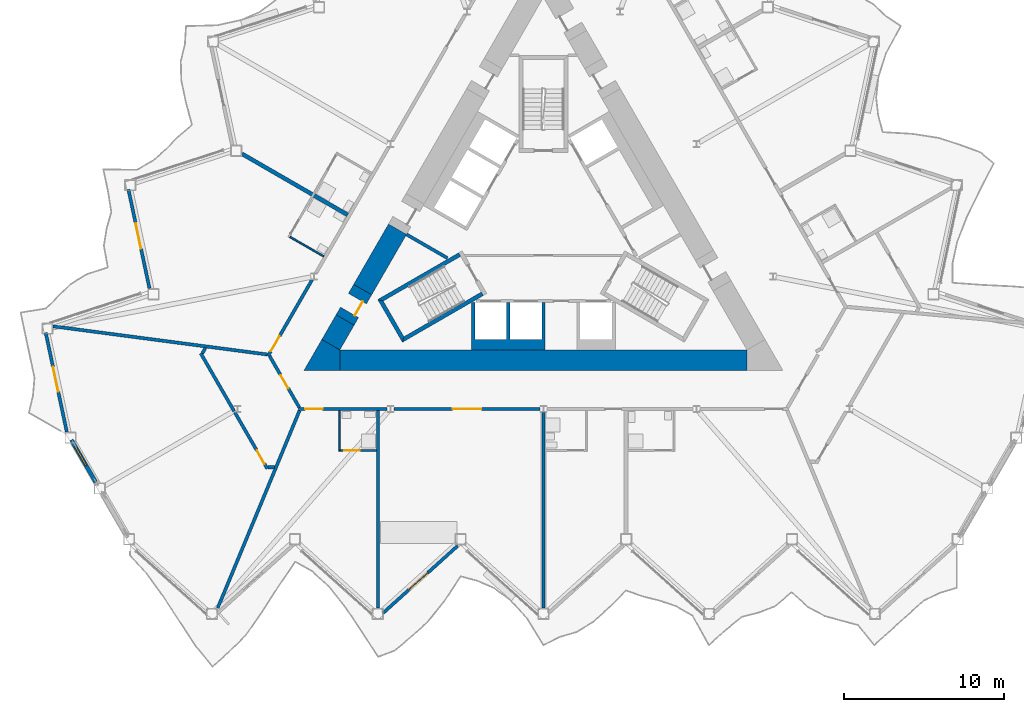
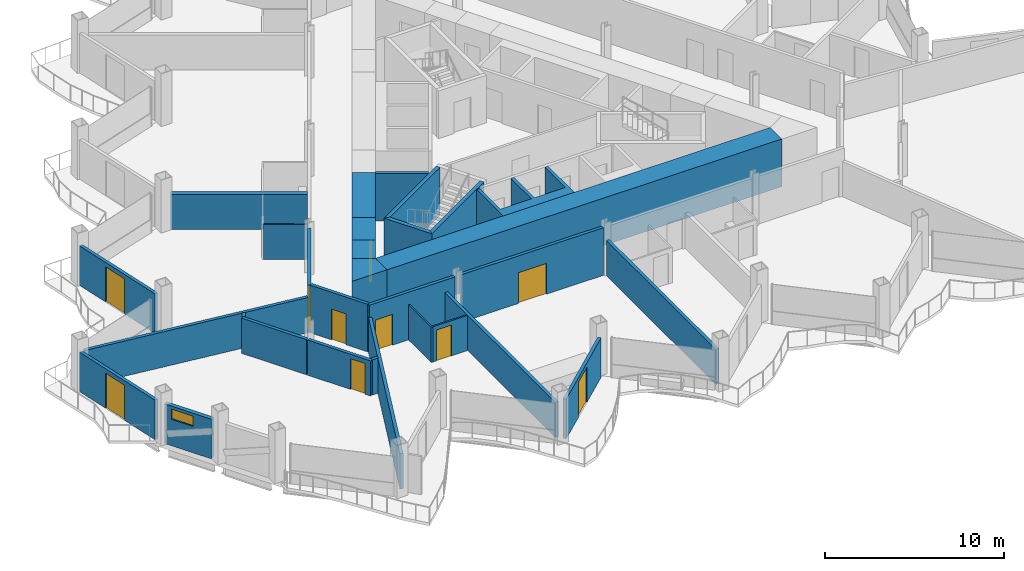
# One storey, part 11 of 23: 30 walls, 10 doors, 1 window, 11 openings.
"""IFC4 building model written with IfcOpenShell, lengths in metres."""

import ifcopenshell
import ifcopenshell.guid

model = None  # the IFC model being written
_history = None  # IfcOwnerHistory: only IFC2X3 demands one
_inside = {}  # id of a spatial element -> (the spatial element, [elements in it])
_under = {}  # id of a project, library or spatial element -> (it, [spatial elements below it])
_declared = {}  # id of a project -> (the project, [libraries it declares])
_typed = {}  # id of a type object -> (the type object, [elements of that type])
_made_of = {}  # id of a material, layer set ... -> (it, [elements and type objects made of it])


def new_model(schema):
    """Start an empty IFC model of exactly this schema.

    Asked for "IFC4X3", IfcOpenShell would pick the latest addendum, in which some entities
    have other attributes; the version numbers below select the first issue.
    IFC2X3 requires an IfcOwnerHistory on every rooted entity: one is made here for all.
    """
    global model, _history
    if schema == "IFC4X3":
        model = ifcopenshell.file(schema_version=(4, 3, 0, 0))
    else:
        model = ifcopenshell.file(schema=schema)
    _inside.clear()
    _under.clear()
    _declared.clear()
    _typed.clear()
    _made_of.clear()
    _history = None
    if model.schema == "IFC2X3":
        org = make("IfcOrganization", Name="unknown")
        user = make(
            "IfcPersonAndOrganization",
            ThePerson=make("IfcPerson", FamilyName="unknown"),
            TheOrganization=org,
        )
        app = make(
            "IfcApplication",
            ApplicationDeveloper=org,
            Version="unknown",
            ApplicationFullName="unknown",
            ApplicationIdentifier="unknown",
        )
        _history = make(
            "IfcOwnerHistory",
            OwningUser=user,
            OwningApplication=app,
            ChangeAction="ADDED",
            CreationDate=0,
        )
    return model


def make(cls, **values):
    """One entity of the class cls with the attributes given. An attribute that is None is left unset."""
    return model.create_entity(
        cls, **{name: value for name, value in values.items() if value is not None}
    )


def rooted(cls, **values):
    """An entity with a GlobalId (a new one), such as an element, a storey or a relation."""
    return make(cls, GlobalId=ifcopenshell.guid.new(), OwnerHistory=_history, **values)


def si_unit(unit_type, name, prefix=None):
    """IfcSIUnit, for example si_unit("LENGTHUNIT", "METRE", prefix="MILLI")."""
    return make("IfcSIUnit", UnitType=unit_type, Prefix=prefix, Name=name)


def assignment(units):
    """IfcUnitAssignment: the units of a project."""
    return None if units is None else make("IfcUnitAssignment", Units=units)


def point(xyz):
    """IfcCartesianPoint."""
    return None if xyz is None else make("IfcCartesianPoint", Coordinates=xyz)


def direction(xyz):
    """IfcDirection."""
    return None if xyz is None else make("IfcDirection", DirectionRatios=xyz)


def frame(location, z_axis=None, x_axis=None):
    """IfcAxis2Placement3D, a coordinate frame: its origin and axes. An axis left out is left unset."""
    return make(
        "IfcAxis2Placement3D",
        Location=point(location),
        Axis=direction(z_axis),
        RefDirection=direction(x_axis),
    )


def frame_2d(location, x_axis=None):
    """IfcAxis2Placement2D, a coordinate frame in the plane: its origin and x axis."""
    return make(
        "IfcAxis2Placement2D", Location=point(location), RefDirection=direction(x_axis)
    )


def origin():
    """The frame at (0, 0, 0) with its axes left unset."""
    return frame((0.0, 0.0, 0.0))


def place(relative_to, where):
    """IfcLocalPlacement: puts the frame where relative to a parent placement (None: the world)."""
    return make(
        "IfcLocalPlacement", PlacementRelTo=relative_to, RelativePlacement=where
    )


def context(
    kind, dimensions, precision=None, world=None, true_north=None, identifier=None
):
    """IfcGeometricRepresentationContext, for example the 3D "Model" context."""
    return make(
        "IfcGeometricRepresentationContext",
        ContextIdentifier=identifier,
        ContextType=kind,
        CoordinateSpaceDimension=dimensions,
        Precision=precision,
        WorldCoordinateSystem=world,
        TrueNorth=true_north,
    )


def subcontext(parent, identifier, kind, view, scale=None):
    """IfcGeometricRepresentationSubContext, for example "Body" below "Model"."""
    return make(
        "IfcGeometricRepresentationSubContext",
        ContextIdentifier=identifier,
        ContextType=kind,
        ParentContext=parent,
        TargetScale=scale,
        TargetView=view,
    )


def project(units=None, contexts=None):
    """IfcProject with its units and contexts."""
    return rooted(
        "IfcProject",
        Name="project",
        RepresentationContexts=contexts,
        UnitsInContext=assignment(units),
    )


def spatial(cls, under=None, at=None, **own):
    """A site, building, storey or space (cls), placed at a placement, below another one or the project."""
    s = rooted(cls, ObjectPlacement=at, **own)
    if under is not None:
        _under.setdefault(under.id(), (under, []))[1].append(s)
    return s


def polyline(points):
    """IfcPolyline through the points."""
    return make("IfcPolyline", Points=[point(p) for p in points])


def profile(cls, at=None, kind="AREA", **sizes):
    """A parametric profile (cls). Its sizes go by their IFC names, for example OverallWidth=200.0."""
    return make(cls, ProfileType=kind, Position=at, **sizes)


def rectangle(**sizes):
    """IfcRectangleProfileDef."""
    return profile("IfcRectangleProfileDef", **sizes)


def outline(outer, holes=None, kind="AREA"):
    """IfcArbitraryClosedProfileDef: a profile drawn as a closed curve; with holes, ...WithVoids."""
    if holes is None:
        return make("IfcArbitraryClosedProfileDef", ProfileType=kind, OuterCurve=outer)
    return make(
        "IfcArbitraryProfileDefWithVoids",
        ProfileType=kind,
        OuterCurve=outer,
        InnerCurves=holes,
    )


def extrude(swept, where, along, depth):
    """IfcExtrudedAreaSolid: the profile swept, set in the frame where, extruded along a direction by depth."""
    return make(
        "IfcExtrudedAreaSolid",
        SweptArea=swept,
        Position=where,
        ExtrudedDirection=direction(along),
        Depth=depth,
    )


def shape(context_of_items, identifier, shape_type, items):
    """IfcShapeRepresentation: the items that make up one representation, for example the "Body"."""
    return make(
        "IfcShapeRepresentation",
        ContextOfItems=context_of_items,
        RepresentationIdentifier=identifier,
        RepresentationType=shape_type,
        Items=items,
    )


def material(Name=None, Category=None):
    """IfcMaterial."""
    return make("IfcMaterial", Name=Name, Category=Category)


def layer(
    of_material, thickness, ventilated=None, Name=None, Category=None, Priority=None
):
    """IfcMaterialLayer: one layer of a wall or slab, of a material (None: an air gap)."""
    return make(
        "IfcMaterialLayer",
        Material=of_material,
        LayerThickness=thickness,
        IsVentilated=ventilated,
        Name=Name,
        Category=Category,
        Priority=Priority,
    )


def layer_set(layers, Name=None):
    """IfcMaterialLayerSet."""
    return make("IfcMaterialLayerSet", MaterialLayers=layers, LayerSetName=Name)


def made_of(thing, what):
    """Note that an element or type object is made of a material, layer set ...; save() writes the relation."""
    if what is not None:
        _made_of.setdefault(what.id(), (what, []))[1].append(thing)
    return thing


def type_object(cls, material=None, **own):
    """A type object (cls), such as IfcWallType, which elements share."""
    return made_of(rooted(cls, **own), material)


def element(
    cls,
    number,
    at=None,
    inside=None,
    cuts=None,
    type_object=None,
    material=None,
    context=None,
    identifier="Body",
    shape_type=None,
    held_by="IfcProductDefinitionShape",
    body=None,
    shapes=None,
    **own,
):
    """One element of the class cls, such as IfcWall. Its Tag is "e" and its number.

    at: its placement. inside: the storey or other place that contains it. cuts: it is an
    opening in that element (IfcRelVoidsElement). A single representation is given by context,
    identifier, shape_type and body (its items); several are given by shapes. held_by: the class
    of the entity that holds the representations. save() writes the other relations.
    """
    e = rooted(cls, Tag="e%d" % number, ObjectPlacement=at, **own)
    if body is not None:
        shapes = [shape(context, identifier, shape_type, body)]
    if shapes is not None:
        e.Representation = make(held_by, Representations=shapes)
    if inside is not None:
        _inside.setdefault(inside.id(), (inside, []))[1].append(e)
    if cuts is not None:
        rooted(
            "IfcRelVoidsElement", RelatingBuildingElement=cuts, RelatedOpeningElement=e
        )
    if type_object is not None:
        _typed.setdefault(type_object.id(), (type_object, []))[1].append(e)
    return made_of(e, material)


def fill(opening, filler):
    """IfcRelFillsElement: the door or window that sits in an opening."""
    return rooted(
        "IfcRelFillsElement",
        RelatingOpeningElement=opening,
        RelatedBuildingElement=filler,
    )


def aggregate(whole, parts):
    """IfcRelAggregates: a whole, such as a stair, and the parts it consists of."""
    return rooted("IfcRelAggregates", RelatingObject=whole, RelatedObjects=parts)


def save(model, path):
    """Write the relations noted so far, then the file.

    IfcRelAggregates (storeys below a building ...), IfcRelContainedInSpatialStructure (elements
    in a storey), IfcRelDefinesByType, IfcRelAssociatesMaterial and IfcRelDeclares: one each for
    every whole, place, type object, material and project.
    """
    for whole, parts in _under.values():
        aggregate(whole, parts)
    for where, things in _inside.values():
        rooted(
            "IfcRelContainedInSpatialStructure",
            RelatedElements=things,
            RelatingStructure=where,
        )
    for kind, things in _typed.values():
        rooted("IfcRelDefinesByType", RelatedObjects=things, RelatingType=kind)
    for what, things in _made_of.values():
        rooted("IfcRelAssociatesMaterial", RelatedObjects=things, RelatingMaterial=what)
    for by, libraries in _declared.values():
        rooted("IfcRelDeclares", RelatingContext=by, RelatedDefinitions=libraries)
    model.write(path)


model = new_model("IFC4")

# Units and contexts
model_context = context("Model", 3, precision=1e-05, world=origin(), true_north=direction((0.0, 1.0)))
body_context = subcontext(model_context, "Body", "Model", "MODEL_VIEW")
ifc_project = project(units=[si_unit("LENGTHUNIT", "METRE"), si_unit("AREAUNIT", "SQUARE_METRE"), si_unit("VOLUMEUNIT", "CUBIC_METRE"), si_unit("PLANEANGLEUNIT", "RADIAN"), si_unit("MASSUNIT", "GRAM", prefix="KILO")], contexts=[model_context])

# Site, building, storey
site_placement = place(None, origin())
site = spatial("IfcSite", under=ifc_project, at=site_placement, CompositionType="ELEMENT")
building_placement = place(site_placement, origin())
building = spatial("IfcBuilding", under=site, at=building_placement, Name="Cormorant Prow Tower", CompositionType="ELEMENT")
storey_placement = place(building_placement, frame((0.0, 0.0, 252.60009765625)))
storey = spatial("IfcBuildingStorey", under=building, at=storey_placement, Name="L56", CompositionType="ELEMENT", Elevation=252.60009765625)

# Walls
ifc_material_1 = material(Name="Concrete 8000 psi", Category="concrete")
ifc_layer_1 = layer(ifc_material_1, 1.300048828125)
ifc_layer_set_1 = layer_set([ifc_layer_1], Name="Concrete 8000 psi")
wall_type_1 = type_object("IfcWallType", Name="Core shear wall 1300", PredefinedType="SHEAR", material=ifc_layer_set_1)
wall_1_placement = place(storey_placement, frame((-12.748291015625, -8.01025390625, 0.0), z_axis=(0.0, 0.0, 1.0), x_axis=(1.0, 0.0, 0.0)))
element("IfcWall", 1, at=wall_1_placement, inside=storey, type_object=wall_type_1, Name="Core wall", PredefinedType="SHEAR", context=body_context, shape_type="SweptSolid", body=[
    extrude(rectangle(XDim=25.49658203125, YDim=1.300048828125, at=frame_2d((12.748291015625, 0.0))), origin(), (0.0, 0.0, 1.0), 3.25),
])
wall_2_placement = place(storey_placement, frame((-9.13720703125, 0.194580078125, 0.0), z_axis=(0.0, 0.0, 1.0), x_axis=(-0.499985697398, -0.866033661238, 0.0)))
element("IfcWall", 2, at=wall_2_placement, inside=storey, type_object=wall_type_1, Name="Core wall", PredefinedType="SHEAR", context=body_context, shape_type="SweptSolid", body=[
    extrude(rectangle(XDim=4.362060546875, YDim=1.300048828125, at=frame_2d((2.18115234375, 0.0))), origin(), (0.0, 0.0, 1.0), 3.25),
])
wall_3_placement = place(storey_placement, frame((-12.418212890625, -5.48828125, 0.0), z_axis=(0.0, 0.0, 1.0), x_axis=(-0.499931460552, -0.866064971437, 0.0)))
element("IfcWall", 3, at=wall_3_placement, inside=storey, type_object=wall_type_1, Name="Core wall", PredefinedType="SHEAR", context=body_context, shape_type="SweptSolid", body=[
    extrude(rectangle(XDim=1.786376953125, YDim=1.300048828125, at=frame_2d((0.89306640625, 0.0))), origin(), (0.0, 0.0, 1.0), 3.25),
])
wall_4_placement = place(storey_placement, origin())
element("IfcWall", 4, at=wall_4_placement, inside=storey, type_object=wall_type_1, Name="Core wall corner", PredefinedType="SHEAR", context=body_context, shape_type="SweptSolid", body=[
    extrude(outline(polyline([(-13.874267578125, -6.710205078125), (-12.748291015625, -7.3603515625), (-12.748291015625, -8.660400390625), (-15.0, -8.660400390625), (-13.874267578125, -6.710205078125)])), origin(), (0.0, 0.0, 1.0), 3.25),
])

# Wall, opening, door
wall_5_placement = place(storey_placement, frame((-11.318115234375, -3.5830078125, 0.0), z_axis=(0.0, 0.0, 1.0), x_axis=(-0.50002983664, -0.866008176907, 0.0)))
wall_5 = element("IfcWall", 5, at=wall_5_placement, inside=storey, type_object=wall_type_1, Name="Core wall door panel", PredefinedType="SHEAR", context=body_context, shape_type="SweptSolid", body=[
    extrude(rectangle(XDim=2.199951171875, YDim=1.300048828125, at=frame_2d((1.10009765625, 0.0))), origin(), (0.0, 0.0, 1.0), 3.25),
])
opening_1_placement = place(wall_5_placement, frame((0.64990234375, 0.0, 0.0)))
opening_1 = element("IfcOpeningElement", 6, at=opening_1_placement, cuts=wall_5, Name="Opening L56-C14", PredefinedType="OPENING", context=body_context, shape_type="SweptSolid", body=[
    extrude(rectangle(XDim=1.0, YDim=2.10009765625, at=frame_2d((0.5, 1.050048828125))), frame((0.0, 0.659912109375, 0.0), z_axis=(0.0, -1.0, 0.0), x_axis=(1.0, 0.0, 0.0)), (0.0, 0.0, 1.0), 1.320068359375),
])
ifc_material_2 = material(Name="Painted steel", Category="steel")
door_type_1 = type_object("IfcDoorType", Name="Service door 1000x2100", OperationType="NOTDEFINED", PredefinedType="DOOR", material=ifc_material_2)
door_1_placement = place(opening_1_placement, origin())
door_1 = element("IfcDoor", 7, at=door_1_placement, inside=storey, type_object=door_type_1, Name="Core door, Electrical room", OperationType="SINGLE_SWING_LEFT", OverallHeight=2.10009765625, OverallWidth=1.0, PredefinedType="DOOR", context=body_context, shape_type="SweptSolid", body=[
    extrude(rectangle(XDim=1.0, YDim=2.10009765625, at=frame_2d((0.5, 1.050048828125))), frame((0.0, 0.40478515625, 0.0), z_axis=(0.0, -1.0, 0.0), x_axis=(1.0, 0.0, 0.0)), (0.0, 0.0, 1.0), 0.050048828125),
])
fill(opening_1, door_1)

ifc_material_3 = material(Name="Gypsum board corridor wall")
ifc_layer_2 = layer(ifc_material_3, 0.199951171875)
ifc_layer_set_2 = layer_set([ifc_layer_2], Name="Gypsum board corridor wall")
wall_type_2 = type_object("IfcWallType", Name="Corridor wall 200", PredefinedType="PARTITIONING", material=ifc_layer_set_2)
wall_6_placement = place(storey_placement, frame((-9.368896484375, -11.060302734375, 0.0), z_axis=(0.0, 0.0, 1.0), x_axis=(1.0, 0.0, 0.0)))
wall_6 = element("IfcWall", 8, at=wall_6_placement, inside=storey, type_object=wall_type_2, Name="Corridor wall", PredefinedType="PARTITIONING", context=body_context, shape_type="SweptSolid", body=[
    extrude(rectangle(XDim=9.159423828125, YDim=0.199951171875, at=frame_2d((4.57958984375, 0.0))), origin(), (0.0, 0.0, 1.0), 3.25),
])
opening_2_placement = place(wall_6_placement, frame((3.6796875, 0.0, 0.0)))
opening_2 = element("IfcOpeningElement", 9, at=opening_2_placement, cuts=wall_6, Name="Opening L56-F03", PredefinedType="OPENING", context=body_context, shape_type="SweptSolid", body=[
    extrude(rectangle(XDim=1.800048828125, YDim=2.10009765625, at=frame_2d((0.89990234375, 1.050048828125))), frame((0.0, 0.10986328125, 0.0), z_axis=(0.0, -1.0, 0.0), x_axis=(1.0, 0.0, 0.0)), (0.0, 0.0, 1.0), 0.219970703125),
])
ifc_material_4 = material(Name="Timber door leaf", Category="wood")
door_type_2 = type_object("IfcDoorType", Name="Double door 1800x2100", OperationType="DOUBLE_DOOR_SINGLE_SWING", PredefinedType="DOOR", material=ifc_material_4)
door_2_placement = place(opening_2_placement, origin())
door_2 = element("IfcDoor", 10, at=door_2_placement, inside=storey, type_object=door_type_2, Name="Library door", OperationType="DOUBLE_DOOR_SINGLE_SWING", OverallHeight=2.10009765625, OverallWidth=1.800048828125, PredefinedType="DOOR", context=body_context, shape_type="SweptSolid", body=[
    extrude(rectangle(XDim=1.800048828125, YDim=2.10009765625, at=frame_2d((0.89990234375, 1.050048828125))), frame((0.0, 0.02490234375, 0.0), z_axis=(0.0, -1.0, 0.0), x_axis=(1.0, 0.0, 0.0)), (0.0, 0.0, 1.0), 0.050048828125),
])
fill(opening_2, door_2)

wall_7_placement = place(storey_placement, frame((-15.330810546875, -11.060302734375, 0.0), z_axis=(0.0, 0.0, 1.0), x_axis=(1.0, 0.0, 0.0)))
wall_7 = element("IfcWall", 11, at=wall_7_placement, inside=storey, type_object=wall_type_2, Name="Corridor wall", PredefinedType="PARTITIONING", context=body_context, shape_type="SweptSolid", body=[
    extrude(rectangle(XDim=5.542724609375, YDim=0.199951171875, at=frame_2d((2.771484375, 0.0))), origin(), (0.0, 0.0, 1.0), 3.25),
])
opening_3_placement = place(wall_7_placement, frame((0.403076171875, 0.0, 0.0)))
opening_3 = element("IfcOpeningElement", 12, at=opening_3_placement, cuts=wall_7, Name="Opening L56-F01", PredefinedType="OPENING", context=body_context, shape_type="SweptSolid", body=[
    extrude(rectangle(XDim=1.10009765625, YDim=2.10009765625, at=frame_2d((0.550048828125, 1.050048828125))), frame((0.0, 0.10986328125, 0.0), z_axis=(0.0, -1.0, 0.0), x_axis=(1.0, 0.0, 0.0)), (0.0, 0.0, 1.0), 0.219970703125),
])
ifc_material_5 = material(Name="Timber door leaf", Category="wood")
door_type_3 = type_object("IfcDoorType", Name="Suite entrance door 1100x2100", OperationType="NOTDEFINED", PredefinedType="DOOR", material=ifc_material_5)
door_3_placement = place(opening_3_placement, origin())
door_3 = element("IfcDoor", 13, at=door_3_placement, inside=storey, type_object=door_type_3, Name="Junior suite door", OperationType="SINGLE_SWING_LEFT", OverallHeight=2.10009765625, OverallWidth=1.10009765625, PredefinedType="DOOR", context=body_context, shape_type="SweptSolid", body=[
    extrude(rectangle(XDim=1.10009765625, YDim=2.10009765625, at=frame_2d((0.550048828125, 1.050048828125))), frame((0.0, 0.02490234375, 0.0), z_axis=(0.0, -1.0, 0.0), x_axis=(1.0, 0.0, 0.0)), (0.0, 0.0, 1.0), 0.050048828125),
])
fill(opening_3, door_3)

wall_8_placement = place(storey_placement, frame((-17.243896484375, -7.746826171875, 0.0), z_axis=(0.0, 0.0, 1.0), x_axis=(0.500017753321, 0.866015153657, 0.0)))
wall_8 = element("IfcWall", 14, at=wall_8_placement, inside=storey, type_object=wall_type_2, Name="Corridor wall", PredefinedType="PARTITIONING", context=body_context, shape_type="SweptSolid", body=[
    extrude(rectangle(XDim=5.510498046875, YDim=0.199951171875, at=frame_2d((2.75537109375, 0.0))), origin(), (0.0, 0.0, 1.0), 3.25),
])
opening_4_placement = place(wall_8_placement, frame((0.350341796875, 0.0, 0.0)))
opening_4 = element("IfcOpeningElement", 15, at=opening_4_placement, cuts=wall_8, Name="Opening L56-F23", PredefinedType="OPENING", context=body_context, shape_type="SweptSolid", body=[
    extrude(rectangle(XDim=1.10009765625, YDim=2.10009765625, at=frame_2d((0.550048828125, 1.050048828125))), frame((0.0, 0.10986328125, 0.0), z_axis=(0.0, -1.0, 0.0), x_axis=(1.0, 0.0, 0.0)), (0.0, 0.0, 1.0), 0.219970703125),
])
door_4_placement = place(opening_4_placement, origin())
door_4 = element("IfcDoor", 16, at=door_4_placement, inside=storey, type_object=door_type_3, Name="Executive suite bedroom door", OperationType="SINGLE_SWING_LEFT", OverallHeight=2.10009765625, OverallWidth=1.10009765625, PredefinedType="DOOR", context=body_context, shape_type="SweptSolid", body=[
    extrude(rectangle(XDim=1.10009765625, YDim=2.10009765625, at=frame_2d((0.550048828125, 1.050048828125))), frame((0.0, 0.02490234375, 0.0), z_axis=(0.0, -1.0, 0.0), x_axis=(1.0, 0.0, 0.0)), (0.0, 0.0, 1.0), 0.050048828125),
])
fill(opening_4, door_4)

wall_9_placement = place(storey_placement, frame((-17.143798828125, -7.746826171875, 0.0), z_axis=(0.0, 0.0, 1.0), x_axis=(0.499958791762, -0.866049194065, 0.0)))
wall_9 = element("IfcWall", 17, at=wall_9_placement, inside=storey, type_object=wall_type_2, Name="Corridor wall", PredefinedType="PARTITIONING", context=body_context, shape_type="SweptSolid", body=[
    extrude(rectangle(XDim=3.725830078125, YDim=0.199951171875, at=frame_2d((1.86279296875, 0.0))), origin(), (0.0, 0.0, 1.0), 3.25),
])
opening_5_placement = place(wall_9_placement, frame((1.387939453125, 0.0, 0.0)))
opening_5 = element("IfcOpeningElement", 18, at=opening_5_placement, cuts=wall_9, Name="Opening L56-F25", PredefinedType="OPENING", context=body_context, shape_type="SweptSolid", body=[
    extrude(rectangle(XDim=0.949951171875, YDim=2.10009765625, at=frame_2d((0.47509765625, 1.050048828125))), frame((0.0, 0.10986328125, 0.0), z_axis=(0.0, -1.0, 0.0), x_axis=(1.0, 0.0, 0.0)), (0.0, 0.0, 1.0), 0.219970703125),
])
ifc_material_6 = material(Name="Timber door leaf", Category="wood")
door_type_4 = type_object("IfcDoorType", Name="Store door 950x2100", OperationType="NOTDEFINED", PredefinedType="DOOR", material=ifc_material_6)
door_5_placement = place(opening_5_placement, origin())
door_5 = element("IfcDoor", 19, at=door_5_placement, inside=storey, type_object=door_type_4, Name="Guest pantry door", OperationType="SINGLE_SWING_RIGHT", OverallHeight=2.10009765625, OverallWidth=0.949951171875, PredefinedType="DOOR", context=body_context, shape_type="SweptSolid", body=[
    extrude(rectangle(XDim=0.949951171875, YDim=2.10009765625, at=frame_2d((0.47509765625, 1.050048828125))), frame((0.0, 0.02490234375, 0.0), z_axis=(0.0, -1.0, 0.0), x_axis=(1.0, 0.0, 0.0)), (0.0, 0.0, 1.0), 0.050048828125),
])
fill(opening_5, door_5)

# Walls
ifc_material_7 = material(Name="Gypsum board demising wall")
ifc_layer_3 = layer(ifc_material_7, 0.199951171875)
ifc_layer_set_3 = layer_set([ifc_layer_3], Name="Gypsum board demising wall")
wall_type_3 = type_object("IfcWallType", Name="Demising wall 200", PredefinedType="PARTITIONING", material=ifc_layer_set_3)
wall_10_placement = place(storey_placement, frame((-30.703125, -5.8818359375, 0.0), z_axis=(0.0, 0.0, 1.0), x_axis=(0.991445815272, -0.130518946443, 0.0)))
element("IfcWall", 20, at=wall_10_placement, inside=storey, type_object=wall_type_3, Name="Demising wall", PredefinedType="PARTITIONING", context=body_context, shape_type="SweptSolid", body=[
    extrude(rectangle(XDim=13.52587890625, YDim=0.199951171875, at=frame_2d((6.762939453125, 0.0))), origin(), (0.0, 0.0, 1.0), 2.404052734375),
])
wall_11_placement = place(storey_placement, frame((-20.39599609375, -23.52978515625, 0.0), z_axis=(0.0, 0.0, 1.0), x_axis=(0.382692998932, 0.923875569851, 0.0)))
element("IfcWall", 21, at=wall_11_placement, inside=storey, type_object=wall_type_3, Name="Demising wall", PredefinedType="PARTITIONING", context=body_context, shape_type="SweptSolid", body=[
    extrude(rectangle(XDim=13.39697265625, YDim=0.199951171875, at=frame_2d((6.698486328125, 0.0))), origin(), (0.0, 0.0, 1.0), 2.404052734375),
])
wall_12_placement = place(storey_placement, frame((-10.35888671875, -23.52685546875, 0.0), z_axis=(0.0, 0.0, 1.0), x_axis=(0.0, 1.0, 0.0)))
element("IfcWall", 22, at=wall_12_placement, inside=storey, type_object=wall_type_3, Name="Demising wall", PredefinedType="PARTITIONING", context=body_context, shape_type="SweptSolid", body=[
    extrude(rectangle(XDim=12.366455078125, YDim=0.199951171875, at=frame_2d((6.18310546875, 0.0))), origin(), (0.0, 0.0, 1.0), 2.404052734375),
])
wall_13_placement = place(storey_placement, frame((0.0, -23.52685546875, 0.0), z_axis=(0.0, 0.0, 1.0), x_axis=(0.0, 1.0, 0.0)))
element("IfcWall", 23, at=wall_13_placement, inside=storey, type_object=wall_type_3, Name="Demising wall", PredefinedType="PARTITIONING", context=body_context, shape_type="SweptSolid", body=[
    extrude(rectangle(XDim=12.257080078125, YDim=0.199951171875, at=frame_2d((6.12841796875, 0.0))), origin(), (0.0, 0.0, 1.0), 2.404052734375),
])
wall_14_placement = place(storey_placement, frame((-21.45849609375, -7.57373046875, 0.0), z_axis=(0.0, 0.0, 1.0), x_axis=(0.499973304129, -0.866040816104, 0.0)))
element("IfcWall", 24, at=wall_14_placement, inside=storey, type_object=wall_type_3, Name="Demising wall", PredefinedType="PARTITIONING", context=body_context, shape_type="SweptSolid", body=[
    extrude(rectangle(XDim=4.184326171875, YDim=0.199951171875, at=frame_2d((2.09228515625, 0.0))), origin(), (0.0, 0.0, 1.0), 2.404052734375),
])

# Wall, opening, door
wall_15_placement = place(storey_placement, frame((-19.32470703125, -11.269775390625, 0.0), z_axis=(0.0, 0.0, 1.0), x_axis=(0.500000928893, -0.866024867487, 0.0)))
wall_15 = element("IfcWall", 25, at=wall_15_placement, inside=storey, type_object=wall_type_3, Name="Demising wall", PredefinedType="PARTITIONING", context=body_context, shape_type="SweptSolid", body=[
    extrude(rectangle(XDim=4.07275390625, YDim=0.199951171875, at=frame_2d((2.036376953125, 0.0))), origin(), (0.0, 0.0, 1.0), 2.404052734375),
])
opening_6_placement = place(wall_15_placement, frame((2.77197265625, 0.0, 0.0)))
opening_6 = element("IfcOpeningElement", 26, at=opening_6_placement, cuts=wall_15, Name="Opening L56-F26", PredefinedType="OPENING", context=body_context, shape_type="SweptSolid", body=[
    extrude(rectangle(XDim=0.949951171875, YDim=2.10009765625, at=frame_2d((0.47509765625, 1.050048828125))), frame((0.0, 0.10986328125, 0.0), z_axis=(0.0, -1.0, 0.0), x_axis=(1.0, 0.0, 0.0)), (0.0, 0.0, 1.0), 0.219970703125),
])
door_6_placement = place(opening_6_placement, origin())
door_6 = element("IfcDoor", 27, at=door_6_placement, inside=storey, type_object=door_type_4, Name="Luggage store door", OperationType="SINGLE_SWING_RIGHT", OverallHeight=2.10009765625, OverallWidth=0.949951171875, PredefinedType="DOOR", context=body_context, shape_type="SweptSolid", body=[
    extrude(rectangle(XDim=0.949951171875, YDim=2.10009765625, at=frame_2d((0.47509765625, 1.050048828125))), frame((0.0, 0.02490234375, 0.0), z_axis=(0.0, -1.0, 0.0), x_axis=(1.0, 0.0, 0.0)), (0.0, 0.0, 1.0), 0.050048828125),
])
fill(opening_6, door_6)

# Walls
for number, where, z_axis, x_axis, name in (
    (28, (-17.23828125, -14.710205078125, 0.0), (0.0, 0.0, 1.0), (1.0, 0.0, 0.0), "Demising wall"),
    (29, (-21.358642578125, -7.57373046875, 0.0), (0.0, 0.0, 1.0), (0.499989616998, 0.866031398331, 0.0), "Demising wall"),
):
    element("IfcWall", number, at=place(storey_placement, frame(where, z_axis=z_axis, x_axis=x_axis)), inside=storey, type_object=wall_type_3, Name=name, PredefinedType="PARTITIONING", context=body_context, shape_type="SweptSolid", body=[
        extrude(rectangle(XDim=0.3955078125, YDim=0.199951171875, at=frame_2d((0.19775390625, 0.0))), origin(), (0.0, 0.0, 1.0), 2.404052734375),
    ])
ifc_material_8 = material(Name="Gypsum board partition")
ifc_layer_4 = layer(ifc_material_8, 0.10009765625)
ifc_layer_set_4 = layer_set([ifc_layer_4], Name="Gypsum board partition")
wall_type_4 = type_object("IfcWallType", Name="Internal partition 100", PredefinedType="PARTITIONING", material=ifc_layer_set_4)
wall_16_placement = place(storey_placement, frame((-12.759033203125, -13.710205078125, 0.0), z_axis=(0.0, 0.0, 1.0), x_axis=(0.0, 1.0, 0.0)))
element("IfcWall", 30, at=wall_16_placement, inside=storey, type_object=wall_type_4, Name="Internal partition", PredefinedType="PARTITIONING", context=body_context, shape_type="SweptSolid", body=[
    extrude(rectangle(XDim=2.5498046875, YDim=0.10009765625, at=frame_2d((1.27490234375, 0.0))), origin(), (0.0, 0.0, 1.0), 2.404052734375),
])
wall_17_placement = place(storey_placement, frame((-15.876708984375, -0.278564453125, 0.0), z_axis=(0.0, 0.0, 1.0), x_axis=(0.866057815567, -0.499943856944, 0.0)))
element("IfcWall", 31, at=wall_17_placement, inside=storey, type_object=wall_type_4, Name="Internal partition", PredefinedType="PARTITIONING", context=body_context, shape_type="SweptSolid", body=[
    extrude(rectangle(XDim=2.449951171875, YDim=0.10009765625, at=frame_2d((1.22509765625, 0.0))), origin(), (0.0, 0.0, 1.0), 2.404052734375),
])

# Wall, opening, door
wall_18_placement = place(storey_placement, frame((-12.708984375, -13.660400390625, 0.0), z_axis=(0.0, 0.0, 1.0), x_axis=(1.0, 0.0, 0.0)))
wall_18 = element("IfcWall", 32, at=wall_18_placement, inside=storey, type_object=wall_type_4, Name="Internal partition", PredefinedType="PARTITIONING", context=body_context, shape_type="SweptSolid", body=[
    extrude(rectangle(XDim=2.25, YDim=0.10009765625, at=frame_2d((1.125, 0.0))), origin(), (0.0, 0.0, 1.0), 2.404052734375),
])
opening_7_placement = place(wall_18_placement, frame((0.25, 0.0, 0.0)))
opening_7 = element("IfcOpeningElement", 33, at=opening_7_placement, cuts=wall_18, Name="Opening L56-F02", PredefinedType="OPENING", context=body_context, shape_type="SweptSolid", body=[
    extrude(rectangle(XDim=0.949951171875, YDim=2.10009765625, at=frame_2d((0.47509765625, 1.050048828125))), frame((0.0, 0.06005859375, 0.0), z_axis=(0.0, -1.0, 0.0), x_axis=(1.0, 0.0, 0.0)), (0.0, 0.0, 1.0), 0.1201171875),
])
ifc_material_9 = material(Name="Timber door leaf", Category="wood")
door_type_5 = type_object("IfcDoorType", Name="Bathroom door 950x2100", OperationType="NOTDEFINED", PredefinedType="DOOR", material=ifc_material_9)
door_7_placement = place(opening_7_placement, origin())
door_7 = element("IfcDoor", 34, at=door_7_placement, inside=storey, type_object=door_type_5, Name="Junior suite door", OperationType="SINGLE_SWING_LEFT", OverallHeight=2.10009765625, OverallWidth=0.949951171875, PredefinedType="DOOR", context=body_context, shape_type="SweptSolid", body=[
    extrude(rectangle(XDim=0.949951171875, YDim=2.10009765625, at=frame_2d((0.47509765625, 1.050048828125))), frame((0.0, 0.02490234375, 0.0), z_axis=(0.0, -1.0, 0.0), x_axis=(1.0, 0.0, 0.0)), (0.0, 0.0, 1.0), 0.050048828125),
])
fill(opening_7, door_7)

# Walls
ifc_material_10 = material(Name="Concrete 8000 psi", Category="concrete")
ifc_layer_5 = layer(ifc_material_10, 0.199951171875)
ifc_layer_set_5 = layer_set([ifc_layer_5], Name="Concrete 8000 psi")
wall_type_5 = type_object("IfcWallType", Name="Lift shaft wall 200", PredefinedType="SHEAR", material=ifc_layer_set_5)
wall_19_placement = place(storey_placement, origin())
element("IfcWall", 35, at=wall_19_placement, inside=storey, type_object=wall_type_5, Name="Lift shaft walls, S block", PredefinedType="SHEAR", context=body_context, shape_type="SweptSolid", body=[
    extrude(outline(polyline([(0.10009765625, -7.3603515625), (-4.5, -7.3603515625), (-4.5, -4.39990234375), (-4.300048828125, -4.39990234375), (-4.300048828125, -6.699951171875), (-2.300048828125, -6.699951171875), (-2.300048828125, -4.39990234375), (-2.10009765625, -4.39990234375), (-2.10009765625, -6.699951171875), (-0.10009765625, -6.699951171875), (-0.10009765625, -4.39990234375), (0.10009765625, -4.39990234375), (0.10009765625, -7.3603515625)])), origin(), (0.0, 0.0, 1.0), 3.25),
])
wall_20_placement = place(storey_placement, origin())
element("IfcWall", 36, at=wall_20_placement, inside=storey, type_object=wall_type_5, Name="Lift shaft walls, WNW block", PredefinedType="SHEAR", context=body_context, shape_type="SweptSolid", body=[
    extrude(outline(polyline([(-8.524169921875, -0.043701171875), (-8.130859375, -0.27099609375), (-5.96044921875, -1.52392578125), (-6.060546875, -1.697021484375), (-8.230712890625, -0.444091796875), (-8.624267578125, -0.217041015625), (-8.524169921875, -0.043701171875)])), origin(), (0.0, 0.0, 1.0), 3.25),
])
ifc_material_11 = material(Name="Concrete 8000 psi", Category="concrete")
ifc_layer_6 = layer(ifc_material_11, 0.25)
ifc_layer_set_6 = layer_set([ifc_layer_6], Name="Concrete 8000 psi")
wall_type_6 = type_object("IfcWallType", Name="Stair wall 250", PredefinedType="SHEAR", material=ifc_layer_set_6)
wall_21_placement = place(storey_placement, origin())
element("IfcWall", 37, at=wall_21_placement, inside=storey, type_object=wall_type_6, Name="Stair ST1 enclosure wall (flank)", PredefinedType="SHEAR", context=body_context, shape_type="SweptSolid", body=[
    extrude(outline(polyline([(-5.30712890625, -1.28125), (-10.37353515625, -4.206298828125), (-10.031982421875, -4.2978515625), (-5.18212890625, -1.497802734375), (-5.30712890625, -1.28125)])), origin(), (0.0, 0.0, 1.0), 3.25),
])
wall_22_placement = place(storey_placement, origin())
element("IfcWall", 38, at=wall_22_placement, inside=storey, type_object=wall_type_6, Name="Stair ST1 enclosure wall (end)", PredefinedType="SHEAR", context=body_context, shape_type="SweptSolid", body=[
    extrude(outline(polyline([(-10.37353515625, -4.206298828125), (-8.82958984375, -6.880615234375), (-8.738037109375, -6.5390625), (-10.031982421875, -4.2978515625), (-10.37353515625, -4.206298828125)])), origin(), (0.0, 0.0, 1.0), 3.25),
])
wall_23_placement = place(storey_placement, origin())
element("IfcWall", 39, at=wall_23_placement, inside=storey, type_object=wall_type_6, Name="Stair ST1 enclosure wall (flank)", PredefinedType="SHEAR", context=body_context, shape_type="SweptSolid", body=[
    extrude(outline(polyline([(-8.738037109375, -6.5390625), (-8.82958984375, -6.880615234375), (-3.76318359375, -3.95556640625), (-3.88818359375, -3.739013671875), (-8.738037109375, -6.5390625)])), origin(), (0.0, 0.0, 1.0), 3.25),
])
ifc_material_12 = material(Name="Acoustic gypsum party wall")
ifc_layer_7 = layer(ifc_material_12, 0.25)
ifc_layer_set_7 = layer_set([ifc_layer_7], Name="Acoustic gypsum party wall")
wall_type_7 = type_object("IfcWallType", Name="Suite party wall 250", PredefinedType="PARTITIONING", material=ifc_layer_set_7)
wall_24_placement = place(storey_placement, frame((-18.875, 4.916748046875, 0.0), z_axis=(0.0, 0.0, 1.0), x_axis=(0.866017519557, -0.500013655634, 0.0)))
element("IfcWall", 40, at=wall_24_placement, inside=storey, type_object=wall_type_7, Name="Suite party wall", PredefinedType="PARTITIONING", context=body_context, shape_type="SweptSolid", body=[
    extrude(rectangle(XDim=7.644287109375, YDim=0.25, at=frame_2d((3.822265625, 0.0))), origin(), (0.0, 0.0, 1.0), 2.404052734375),
])

# Wall, opening, window
ifc_material_13 = material(Name="Terracotta", Category="masonry")
ifc_layer_8 = layer(ifc_material_13, 0.25)
ifc_layer_set_8 = layer_set([ifc_layer_8], Name="Terracotta")
wall_type_8 = type_object("IfcWallType", Name="Terracotta bay wall 250", PredefinedType="SOLIDWALL", material=ifc_layer_set_8)
wall_25_placement = place(storey_placement, frame((-29.55859375, -13.00244140625, 0.0), z_axis=(0.0, 0.0, 1.0), x_axis=(0.500023511883, -0.866011828767, 0.0)))
wall_25 = element("IfcWall", 41, at=wall_25_placement, inside=storey, type_object=wall_type_8, Name="Terracotta bay wall WSW00", PredefinedType="SOLIDWALL", context=body_context, shape_type="SweptSolid", body=[
    extrude(rectangle(XDim=3.041748046875, YDim=0.25, at=frame_2d((1.52099609375, 0.0))), origin(), (0.0, 0.0, 1.0), 2.70068359375),
])
opening_8_placement = place(wall_25_placement, frame((0.449951171875, 0.0, 1.800048828125)))
opening_8 = element("IfcOpeningElement", 42, at=opening_8_placement, cuts=wall_25, Name="Opening WN4", PredefinedType="OPENING", context=body_context, shape_type="SweptSolid", body=[
    extrude(rectangle(XDim=1.39990234375, YDim=0.699951171875, at=frame_2d((0.699951171875, 0.35009765625))), frame((0.0, 0.135009765625, 0.0), z_axis=(0.0, -1.0, 0.0), x_axis=(1.0, 0.0, 0.0)), (0.0, 0.0, 1.0), 0.27001953125),
])
ifc_material_14 = material(Name="Aluminium 6063-T6", Category="aluminium")
window_type = type_object("IfcWindowType", Name="Corner bay window 1400x700", PartitioningType="SINGLE_PANEL", PredefinedType="WINDOW", material=ifc_material_14)
window_placement = place(opening_8_placement, origin())
window = element("IfcWindow", 43, at=window_placement, inside=storey, type_object=window_type, Name="Corner bay window WSW00", OverallHeight=0.699951171875, OverallWidth=1.39990234375, PartitioningType="SINGLE_PANEL", PredefinedType="WINDOW", context=body_context, shape_type="SweptSolid", body=[
    extrude(rectangle(XDim=1.39990234375, YDim=0.699951171875, at=frame_2d((0.699951171875, 0.35009765625))), frame((0.0, 0.030029296875, 0.0), z_axis=(0.0, -1.0, 0.0), x_axis=(1.0, 0.0, 0.0)), (0.0, 0.0, 1.0), 0.06005859375),
])
fill(opening_8, window)

# Wall, opening, door
ifc_material_15 = material(Name="Terracotta", Category="masonry")
ifc_layer_9 = layer(ifc_material_15, 0.199951171875)
ifc_layer_set_9 = layer_set([ifc_layer_9], Name="Terracotta")
wall_type_9 = type_object("IfcWallType", Name="Terracotta jamb wall 200", PredefinedType="SOLIDWALL", material=ifc_layer_set_9)
wall_26_placement = place(storey_placement, frame((-10.0537109375, -23.84765625, 0.0), z_axis=(0.0, 0.0, 1.0), x_axis=(0.74314024121, 0.669135697668, 0.0)))
wall_26 = element("IfcWall", 44, at=wall_26_placement, inside=storey, type_object=wall_type_9, Name="Terracotta jamb wall S03", PredefinedType="SOLIDWALL", context=body_context, shape_type="SweptSolid", body=[
    extrude(rectangle(XDim=6.31103515625, YDim=0.199951171875, at=frame_2d((3.155517578125, 0.0))), origin(), (0.0, 0.0, 1.0), 2.70068359375),
])
opening_9_placement = place(wall_26_placement, frame((2.183837890625, 0.0, 0.0)))
opening_9 = element("IfcOpeningElement", 45, at=opening_9_placement, cuts=wall_26, Name="Opening ED56.02", PredefinedType="OPENING", context=body_context, shape_type="SweptSolid", body=[
    extrude(rectangle(XDim=1.60009765625, YDim=2.39990234375, at=frame_2d((0.800048828125, 1.199951171875))), frame((0.0, 0.10986328125, 0.0), z_axis=(0.0, -1.0, 0.0), x_axis=(1.0, 0.0, 0.0)), (0.0, 0.0, 1.0), 0.219970703125),
])
ifc_material_16 = material(Name="Aluminium 6063-T6", Category="aluminium")
door_type_6 = type_object("IfcDoorType", Name="Balcony door 1600x2400", OperationType="DOUBLE_DOOR_SINGLE_SWING", PredefinedType="DOOR", material=ifc_material_16)
door_8_placement = place(opening_9_placement, origin())
door_8 = element("IfcDoor", 46, at=door_8_placement, inside=storey, type_object=door_type_6, Name="Balcony door S03 ED56.02", OperationType="DOUBLE_DOOR_SINGLE_SWING", OverallHeight=2.39990234375, OverallWidth=1.60009765625, PredefinedType="DOOR", context=body_context, shape_type="SweptSolid", body=[
    extrude(rectangle(XDim=1.60009765625, YDim=2.39990234375, at=frame_2d((0.800048828125, 1.199951171875))), frame((0.0, 0.02490234375, 0.0), z_axis=(0.0, -1.0, 0.0), x_axis=(1.0, 0.0, 0.0)), (0.0, 0.0, 1.0), 0.050048828125),
])
fill(opening_9, door_8)

wall_27_placement = place(storey_placement, frame((-25.98486328125, 2.688232421875, 0.0), z_axis=(0.0, 0.0, 1.0), x_axis=(0.207906715746, -0.978148658205, 0.0)))
wall_27 = element("IfcWall", 47, at=wall_27_placement, inside=storey, type_object=wall_type_9, Name="Terracotta jamb wall WNW07", PredefinedType="SOLIDWALL", context=body_context, shape_type="SweptSolid", body=[
    extrude(rectangle(XDim=6.331787109375, YDim=0.199951171875, at=frame_2d((3.166015625, 0.0))), origin(), (0.0, 0.0, 1.0), 2.70068359375),
])
opening_10_placement = place(wall_27_placement, frame((2.183837890625, 0.0, 0.0)))
opening_10 = element("IfcOpeningElement", 48, at=opening_10_placement, cuts=wall_27, Name="Opening ED56.14", PredefinedType="OPENING", context=body_context, shape_type="SweptSolid", body=[
    extrude(rectangle(XDim=1.60009765625, YDim=2.39990234375, at=frame_2d((0.800048828125, 1.199951171875))), frame((0.0, 0.10986328125, 0.0), z_axis=(0.0, -1.0, 0.0), x_axis=(1.0, 0.0, 0.0)), (0.0, 0.0, 1.0), 0.219970703125),
])
door_9_placement = place(opening_10_placement, origin())
door_9 = element("IfcDoor", 49, at=door_9_placement, inside=storey, type_object=door_type_6, Name="Balcony door WNW07 ED56.14", OperationType="DOUBLE_DOOR_SINGLE_SWING", OverallHeight=2.39990234375, OverallWidth=1.60009765625, PredefinedType="DOOR", context=body_context, shape_type="SweptSolid", body=[
    extrude(rectangle(XDim=1.60009765625, YDim=2.39990234375, at=frame_2d((0.800048828125, 1.199951171875))), frame((0.0, 0.02490234375, 0.0), z_axis=(0.0, -1.0, 0.0), x_axis=(1.0, 0.0, 0.0)), (0.0, 0.0, 1.0), 0.050048828125),
])
fill(opening_10, door_9)

wall_28_placement = place(storey_placement, frame((-31.164306640625, -6.282958984375, 0.0), z_axis=(0.0, 0.0, 1.0), x_axis=(0.207900158502, -0.978150051932, 0.0)))
wall_28 = element("IfcWall", 50, at=wall_28_placement, inside=storey, type_object=wall_type_9, Name="Terracotta jamb wall WNW09", PredefinedType="SOLIDWALL", context=body_context, shape_type="SweptSolid", body=[
    extrude(rectangle(XDim=6.34716796875, YDim=0.199951171875, at=frame_2d((3.173583984375, 0.0))), origin(), (0.0, 0.0, 1.0), 2.70068359375),
])
opening_11_placement = place(wall_28_placement, frame((2.183837890625, 0.0, 0.0)))
opening_11 = element("IfcOpeningElement", 51, at=opening_11_placement, cuts=wall_28, Name="Opening ED56.15", PredefinedType="OPENING", context=body_context, shape_type="SweptSolid", body=[
    extrude(rectangle(XDim=1.60009765625, YDim=2.39990234375, at=frame_2d((0.800048828125, 1.199951171875))), frame((0.0, 0.10986328125, 0.0), z_axis=(0.0, -1.0, 0.0), x_axis=(1.0, 0.0, 0.0)), (0.0, 0.0, 1.0), 0.219970703125),
])
door_10_placement = place(opening_11_placement, origin())
door_10 = element("IfcDoor", 52, at=door_10_placement, inside=storey, type_object=door_type_6, Name="Balcony door WNW09 ED56.15", OperationType="DOUBLE_DOOR_SINGLE_SWING", OverallHeight=2.39990234375, OverallWidth=1.60009765625, PredefinedType="DOOR", context=body_context, shape_type="SweptSolid", body=[
    extrude(rectangle(XDim=1.60009765625, YDim=2.39990234375, at=frame_2d((0.800048828125, 1.199951171875))), frame((0.0, 0.02490234375, 0.0), z_axis=(0.0, -1.0, 0.0), x_axis=(1.0, 0.0, 0.0)), (0.0, 0.0, 1.0), 0.050048828125),
])
fill(opening_11, door_10)

save(model, "model.ifc")
